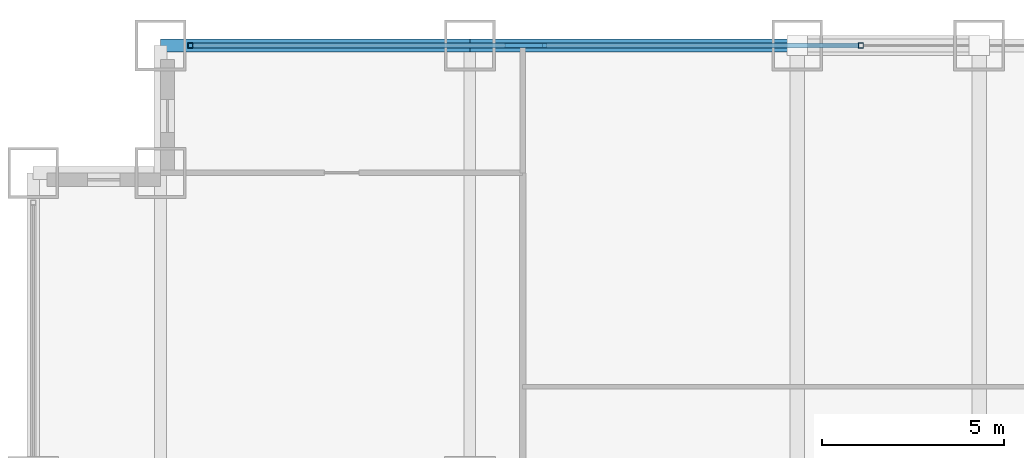
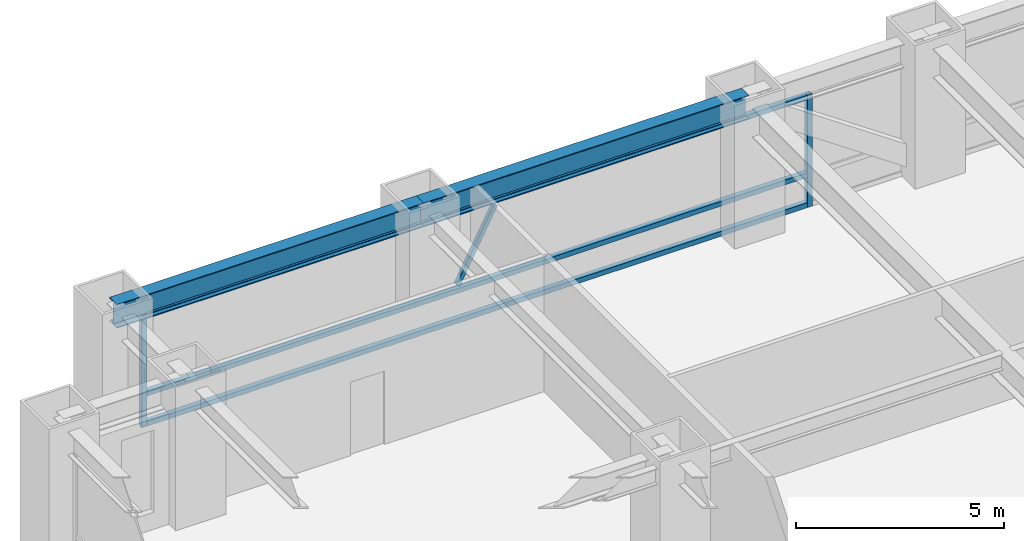
# One storey, part 19 of 27: 6 members, 2 beams, 1 element without a shape of its own.
"""IFC4 building model written with IfcOpenShell, lengths in metres."""

from ifc_helpers import new_model, si_unit, direction, frame, origin, origin_2d, place, context, subcontext, project, spatial, hollow_rectangle, i_section, extrude, source, transform, mapped, material, material_profile, profile_set, type_object, element, aggregate, save


model = new_model("IFC4")

# Units and contexts
model_context = context("Model", 3, precision=1e-05, world=origin(), true_north=direction((0.0, 1.0)))
body_context = subcontext(model_context, "Body", "Model", "MODEL_VIEW")
ifc_project = project(units=[si_unit("LENGTHUNIT", "METRE"), si_unit("AREAUNIT", "SQUARE_METRE"), si_unit("VOLUMEUNIT", "CUBIC_METRE"), si_unit("PLANEANGLEUNIT", "RADIAN"), si_unit("MASSUNIT", "GRAM", prefix="KILO")], contexts=[model_context])

# Site, building, storey
site_placement = place(None, origin())
site = spatial("IfcSite", under=ifc_project, at=site_placement, CompositionType="ELEMENT")
building_placement = place(site_placement, origin())
building = spatial("IfcBuilding", under=site, at=building_placement, Name="Khorayat Bourse Tower", CompositionType="ELEMENT")
storey_placement = place(building_placement, frame((0.0, 0.0, 45.199951171875)))
storey = spatial("IfcBuildingStorey", under=building, at=storey_placement, Name="L09", CompositionType="ELEMENT", Elevation=45.199951171875)

# Beams
ifc_material_1 = material(Name="Steel ASTM A992 Grade 50", Category="steel")
ifc_material_profile_1 = material_profile(ifc_material_1, i_section(OverallWidth=0.35498046875, OverallDepth=0.695068359375, WebThickness=0.015380859375, FlangeThickness=0.02490234375, FilletRadius=0.01806640625, at=origin_2d()), Name="W690X217")
ifc_profile_set_1 = profile_set([ifc_material_profile_1], Name="Steel ASTM A992 Grade 50")
beam_type = type_object("IfcBeamType", Name="BM-SPAN-690", PredefinedType="SPANDREL", material=ifc_profile_set_1)
shared_shape_1 = source(origin(), body_context, "Body", "SweptSolid", [
    extrude(i_section(OverallWidth=0.35498046875, OverallDepth=0.695068359375, WebThickness=0.015380859375, FlangeThickness=0.02490234375, FilletRadius=0.01806640625, at=origin_2d()), origin(), (0.0, 0.0, 1.0), 8.5),
])
beam_1_placement = place(storey_placement, frame((-28.5, 32.0, 3.592529296875), z_axis=(1.0, 0.0, 0.0), x_axis=(0.0, 1.0, 0.0)))
element("IfcBeam", 1, at=beam_1_placement, inside=storey, type_object=beam_type, Name="L09 BM-SPAN-690 BM-L09-SPN-051", PredefinedType="SPANDREL", context=body_context, shape_type="MappedRepresentation", body=[
    mapped(shared_shape_1, transform((0.0, 0.0, 0.0), scale=1.0)),
])
shared_shape_2 = source(origin(), body_context, "Body", "SweptSolid", [
    extrude(i_section(OverallWidth=0.35498046875, OverallDepth=0.695068359375, WebThickness=0.015380859375, FlangeThickness=0.02490234375, FilletRadius=0.01806640625, at=origin_2d()), origin(), (0.0, 0.0, 1.0), 9.0),
])
beam_2_placement = place(storey_placement, frame((-20.0, 32.0, 3.592529296875), z_axis=(1.0, 0.0, 0.0), x_axis=(0.0, 1.0, 0.0)))
element("IfcBeam", 2, at=beam_2_placement, inside=storey, type_object=beam_type, Name="L09 BM-SPAN-690 BM-L09-SPN-050", PredefinedType="SPANDREL", context=body_context, shape_type="MappedRepresentation", body=[
    mapped(shared_shape_2, transform((0.0, 0.0, 0.0), scale=1.0)),
])

# Curtain wall, members
ifc_material_2 = material(Name="Aluminium EN AW-6063 T6", Category="aluminium")
curtain_wall_type = type_object("IfcCurtainWallType", Name="CW-SYS-02", PredefinedType="NOTDEFINED", material=ifc_material_2)
curtain_wall_placement = place(storey_placement, origin())
curtain_wall = element("IfcCurtainWall", 3, at=curtain_wall_placement, inside=storey, type_object=curtain_wall_type, Name="L09 Curtain Wall CW-L09-N1", PredefinedType="NOTDEFINED")
ifc_material_profile_2 = material_profile(ifc_material_2, hollow_rectangle(XDim=0.139892578125, YDim=0.139892578125, WallThickness=0.006103515625, at=origin_2d()), Name="ALU 140x140x6")
ifc_profile_set_2 = profile_set([ifc_material_profile_2], Name="Aluminium EN AW-6063 T6")
member_type_1 = type_object("IfcMemberType", Name="CWT-HORZ-140", PredefinedType="USERDEFINED", material=ifc_profile_set_2)
shared_shape_3 = source(origin(), body_context, "Body", "SweptSolid", [
    extrude(hollow_rectangle(XDim=0.139892578125, YDim=0.139892578125, WallThickness=0.006103515625, at=origin_2d()), origin(), (0.0, 0.0, 1.0), 18.2900390625),
])
member_1_placement = place(storey_placement, frame((-27.610107421875, 32.0, 0.070068359375), z_axis=(1.0, 0.0, 0.0), x_axis=(0.0, 1.0, 0.0)))
member_1 = element("IfcMember", 4, at=member_1_placement, type_object=member_type_1, Name="CW-L09-N1 Horizontal Transom 1-1", ObjectType="TRANSOM", PredefinedType="USERDEFINED", context=body_context, shape_type="MappedRepresentation", body=[
    mapped(shared_shape_3, transform((0.0, 0.0, 0.0), scale=1.0)),
])
member_2_placement = place(storey_placement, frame((-27.610107421875, 32.0, 0.949951171875), z_axis=(1.0, 0.0, 0.0), x_axis=(0.0, 1.0, 0.0)))
member_2 = element("IfcMember", 5, at=member_2_placement, type_object=member_type_1, Name="CW-L09-N1 Horizontal Transom 1-2", ObjectType="TRANSOM", PredefinedType="USERDEFINED", context=body_context, shape_type="MappedRepresentation", body=[
    mapped(shared_shape_3, transform((0.0, 0.0, 0.0), scale=1.0)),
])
member_3_placement = place(storey_placement, frame((-27.610107421875, 32.0, 3.219970703125), z_axis=(1.0, 0.0, 0.0), x_axis=(0.0, 1.0, 0.0)))
member_3 = element("IfcMember", 6, at=member_3_placement, type_object=member_type_1, Name="CW-L09-N1 Horizontal Transom 1-3", ObjectType="TRANSOM", PredefinedType="USERDEFINED", context=body_context, shape_type="MappedRepresentation", body=[
    mapped(shared_shape_3, transform((0.0, 0.0, 0.0), scale=1.0)),
])
ifc_material_profile_3 = material_profile(ifc_material_2, hollow_rectangle(XDim=0.1201171875, YDim=0.1201171875, WallThickness=0.0048828125, at=origin_2d()), Name="ALU 120x120x5")
ifc_profile_set_3 = profile_set([ifc_material_profile_3], Name="Aluminium EN AW-6063 T6")
member_type_2 = type_object("IfcMemberType", Name="CWM-DIAG-120", PredefinedType="MULLION", material=ifc_profile_set_3)
shared_shape_4 = source(origin(), body_context, "Body", "SweptSolid", [
    extrude(hollow_rectangle(XDim=0.1201171875, YDim=0.1201171875, WallThickness=0.0048828125, at=origin_2d()), origin(), (0.0, 0.0, 1.0), 2.22607421875),
])
member_4_placement = place(storey_placement, frame((-18.9833984375, 32.0, 1.10009765625), z_axis=(0.465759992596, 0.0, 0.884911085532), x_axis=(0.0, 1.0, 0.0)))
member_4 = element("IfcMember", 7, at=member_4_placement, type_object=member_type_2, Name="CW-L09-N1 Faceted Diagonal Mullion 1", PredefinedType="MULLION", context=body_context, shape_type="MappedRepresentation", body=[
    mapped(shared_shape_4, transform((0.0, 0.0, 0.0), scale=1.0)),
])
ifc_material_profile_4 = material_profile(ifc_material_2, hollow_rectangle(XDim=0.139892578125, YDim=0.139892578125, WallThickness=0.006103515625, at=origin_2d()), Name="ALU 140x140x6")
ifc_profile_set_4 = profile_set([ifc_material_profile_4], Name="Aluminium EN AW-6063 T6")
member_type_3 = type_object("IfcMemberType", Name="CWM-VERT-140", PredefinedType="MULLION", material=ifc_profile_set_4)
shared_shape_5 = source(origin(), body_context, "Body", "SweptSolid", [
    extrude(hollow_rectangle(XDim=0.139892578125, YDim=0.139892578125, WallThickness=0.006103515625, at=origin_2d()), origin(), (0.0, 0.0, 1.0), 3.2900390625),
])
member_5_placement = place(storey_placement, frame((-27.679931640625, 32.0, 0.0), z_axis=(0.0, 0.0, 1.0), x_axis=(0.0, 1.0, 0.0)))
member_5 = element("IfcMember", 8, at=member_5_placement, type_object=member_type_3, Name="CW-L09-N1 Vertical Mullion 1", PredefinedType="MULLION", context=body_context, shape_type="MappedRepresentation", body=[
    mapped(shared_shape_5, transform((0.0, 0.0, 0.0), scale=1.0)),
])
member_6_placement = place(storey_placement, frame((-9.25, 32.0, 0.0), z_axis=(0.0, 0.0, 1.0), x_axis=(0.0, 1.0, 0.0)))
member_6 = element("IfcMember", 9, at=member_6_placement, type_object=member_type_3, Name="CW-L09-N1 Vertical Mullion 2", PredefinedType="MULLION", context=body_context, shape_type="MappedRepresentation", body=[
    mapped(shared_shape_5, transform((0.0, 0.0, 0.0), scale=1.0)),
])
aggregate(curtain_wall, [member_5, member_6, member_1, member_2, member_3, member_4])

save(model, "model.ifc")
